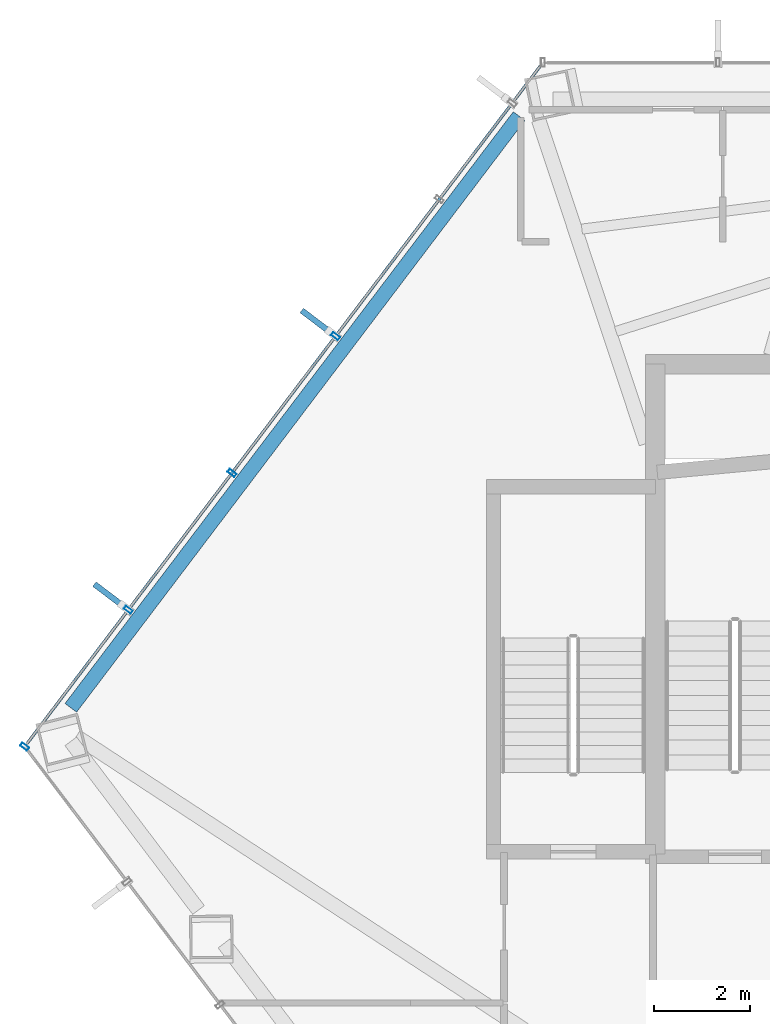
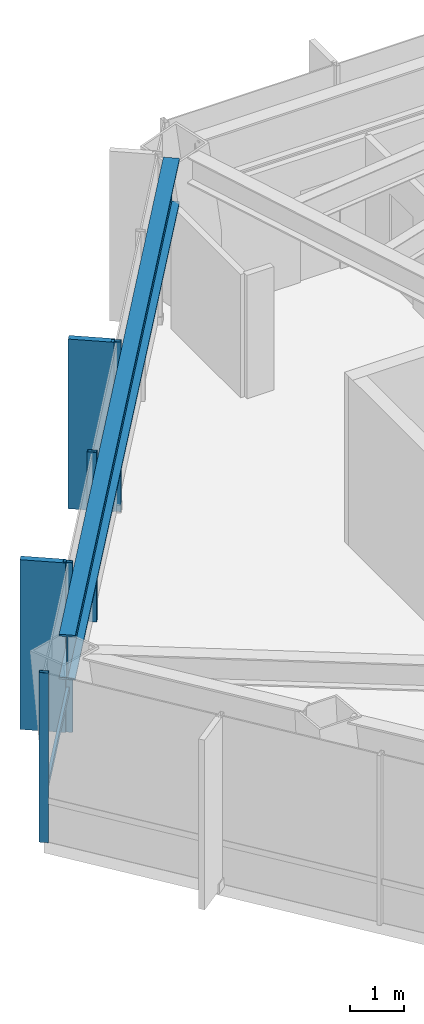
# One storey, part 12 of 27: 7 members, 1 beam, 1 element without a shape of its own.
"""IFC4 building model written with IfcOpenShell, lengths in metres."""

from ifc_helpers import new_model, si_unit, direction, frame, origin, origin_2d, place, context, subcontext, project, spatial, rectangle, hollow_rectangle, i_section, extrude, material, layer, layer_set, material_profile, profile_set, type_object, element, aggregate, save


model = new_model("IFC4")

# Units and contexts
model_context = context("Model", 3, precision=1e-05, world=origin(), true_north=direction((0.0, 1.0)))
body_context = subcontext(model_context, "Body", "Model", "MODEL_VIEW")
ifc_project = project(units=[si_unit("LENGTHUNIT", "METRE"), si_unit("AREAUNIT", "SQUARE_METRE"), si_unit("VOLUMEUNIT", "CUBIC_METRE"), si_unit("PLANEANGLEUNIT", "RADIAN"), si_unit("MASSUNIT", "GRAM", prefix="KILO")], contexts=[model_context])

# Site, building, storey
site_placement = place(None, origin())
site = spatial("IfcSite", under=ifc_project, at=site_placement, CompositionType="ELEMENT")
building_placement = place(site_placement, origin())
building = spatial("IfcBuilding", under=site, at=building_placement, Name="Zarrinselat Tower", CompositionType="ELEMENT")
storey_placement = place(building_placement, frame((0.0, 0.0, 80.580078125)))
storey = spatial("IfcBuildingStorey", under=building, at=storey_placement, Name="L19", CompositionType="ELEMENT", Elevation=80.580078125)

# Beam
ifc_material_1 = material(Name="Steel S460M", Category="steel")
ifc_material_profile_1 = material_profile(ifc_material_1, i_section(OverallWidth=0.302001953125, OverallDepth=1.008056640625, WebThickness=0.02099609375, FlangeThickness=0.0400390625, at=origin_2d()), Name="HEM 1000")
ifc_profile_set_1 = profile_set([ifc_material_profile_1], Name="Steel S460M")
beam_type = type_object("IfcBeamType", Name="BM-HEM1000", PredefinedType="BEAM", material=ifc_profile_set_1)
beam_placement = place(storey_placement, frame((16.427734375, 36.294921875, 3.31591796875), z_axis=(0.603848870457, 0.797098828031, 0.0), x_axis=(-0.797098828031, 0.603848870457, 0.0)))
element("IfcBeam", 1, at=beam_placement, inside=storey, type_object=beam_type, Name="L19 Perimeter Spandrel Girder SP05", PredefinedType="BEAM", context=body_context, shape_type="SweptSolid", body=[
    extrude(i_section(OverallWidth=0.302001953125, OverallDepth=1.008056640625, WebThickness=0.02099609375, FlangeThickness=0.0400390625, at=origin_2d()), origin(), (0.0, 0.0, 1.0), 15.45947265625),
])

# Curtain wall, members
ifc_material_2 = material(Name="Extruded Aluminium Alloy EN AW-6063 T6", Category="aluminium")
ifc_layer = layer(ifc_material_2, 0.18505859375)
ifc_layer_set = layer_set([ifc_layer], Name="Extruded Aluminium Alloy EN AW-6063 T6")
curtain_wall_type = type_object("IfcCurtainWallType", Name="CWS-OFF", PredefinedType="NOTDEFINED", material=ifc_layer_set)
curtain_wall_placement = place(storey_placement, origin())
curtain_wall = element("IfcCurtainWall", 2, at=curtain_wall_placement, inside=storey, type_object=curtain_wall_type, Name="L19 Unitised Curtain Wall CW-L19-E02", PredefinedType="NOTDEFINED")
ifc_material_3 = material(Name="Extruded Aluminium Alloy EN AW-6063 T6", Category="aluminium")
ifc_material_profile_2 = material_profile(ifc_material_3, hollow_rectangle(XDim=0.080078125, YDim=0.179931640625, WallThickness=0.0048828125, at=origin_2d()), Name="RHS 180x80x5")
ifc_profile_set_2 = profile_set([ifc_material_profile_2], Name="Extruded Aluminium Alloy EN AW-6063 T6")
member_type_1 = type_object("IfcMemberType", Name="MEM-CW-MUL", PredefinedType="MULLION", material=ifc_profile_set_2)
member_1_placement = place(storey_placement, frame((21.941162109375, 44.03466796875, 0.0), z_axis=(0.0, 0.0, 1.0), x_axis=(-0.60385671849, -0.797092882627, 0.0)))
member_1 = element("IfcMember", 3, at=member_1_placement, type_object=member_type_1, Name="CW-L19-E02 Mullion 3", PredefinedType="MULLION", context=body_context, shape_type="SweptSolid", body=[
    extrude(hollow_rectangle(XDim=0.080078125, YDim=0.179931640625, WallThickness=0.0048828125, at=origin_2d()), origin(), (0.0, 0.0, 1.0), 3.81982421875),
])
member_2_placement = place(storey_placement, frame((19.78271484375, 41.185546875, 0.0), z_axis=(0.0, 0.0, 1.0), x_axis=(-0.60385671849, -0.797092882627, 0.0)))
member_2 = element("IfcMember", 4, at=member_2_placement, type_object=member_type_1, Name="CW-L19-E02 Mullion 4", PredefinedType="MULLION", context=body_context, shape_type="SweptSolid", body=[
    extrude(hollow_rectangle(XDim=0.080078125, YDim=0.179931640625, WallThickness=0.0048828125, at=origin_2d()), origin(), (0.0, 0.0, 1.0), 3.81982421875),
])
member_3_placement = place(storey_placement, frame((17.6240234375, 38.336181640625, 0.0), z_axis=(0.0, 0.0, 1.0), x_axis=(-0.60385671849, -0.797092882627, 0.0)))
member_3 = element("IfcMember", 5, at=member_3_placement, type_object=member_type_1, Name="CW-L19-E02 Mullion 5", PredefinedType="MULLION", context=body_context, shape_type="SweptSolid", body=[
    extrude(hollow_rectangle(XDim=0.080078125, YDim=0.179931640625, WallThickness=0.0048828125, at=origin_2d()), origin(), (0.0, 0.0, 1.0), 3.81982421875),
])
member_4_placement = place(storey_placement, frame((15.465576171875, 35.48681640625, 0.0), z_axis=(0.0, 0.0, 1.0), x_axis=(-0.60385671849, -0.797092882627, 0.0)))
member_4 = element("IfcMember", 6, at=member_4_placement, type_object=member_type_1, Name="CW-L19-E02 Mullion 6", PredefinedType="MULLION", context=body_context, shape_type="SweptSolid", body=[
    extrude(hollow_rectangle(XDim=0.080078125, YDim=0.179931640625, WallThickness=0.0048828125, at=origin_2d()), origin(), (0.0, 0.0, 1.0), 3.81982421875),
])
ifc_material_4 = material(Name="Extruded Aluminium Alloy EN AW-6063 T6", Category="aluminium")
ifc_material_profile_3 = material_profile(ifc_material_4, hollow_rectangle(XDim=0.06005859375, YDim=0.139892578125, WallThickness=0.00390625, at=origin_2d()), Name="RHS 140x60x4")
ifc_profile_set_3 = profile_set([ifc_material_profile_3], Name="Extruded Aluminium Alloy EN AW-6063 T6")
member_type_2 = type_object("IfcMemberType", Name="MEM-CW-TRN", PredefinedType="USERDEFINED", material=ifc_profile_set_3)
member_5_placement = place(storey_placement, frame((26.203857421875, 49.66162109375, 0.949951171875), z_axis=(-0.603856625322, -0.797092953209, 0.0), x_axis=(0.797092953209, -0.603856625322, 0.0)))
member_5 = element("IfcMember", 7, at=member_5_placement, type_object=member_type_2, Name="CW-L19-E02 Transom 1", ObjectType="TRANSOM", PredefinedType="USERDEFINED", context=body_context, shape_type="SweptSolid", body=[
    extrude(hollow_rectangle(XDim=0.06005859375, YDim=0.139892578125, WallThickness=0.00390625, at=origin_2d()), origin(), (0.0, 0.0, 1.0), 17.693115234375),
])
ifc_material_5 = material(Name="Honed Cream Travertine Stone", Category="masonry")
ifc_material_profile_4 = material_profile(ifc_material_5, rectangle(XDim=0.1201171875, YDim=0.85009765625, at=origin_2d()), Name="FIN 850x120")
ifc_profile_set_4 = profile_set([ifc_material_profile_4], Name="Honed Cream Travertine Stone")
member_type_3 = type_object("IfcMemberType", Name="MEM-STONE-FIN", PredefinedType="USERDEFINED", material=ifc_profile_set_4)
member_6_placement = place(storey_placement, frame((21.574462890625, 44.3125, 0.0), z_axis=(0.0, 0.0, 1.0), x_axis=(0.60385671849, 0.797092882627, 0.0)))
member_6 = element("IfcMember", 8, at=member_6_placement, type_object=member_type_3, Name="L19 Stone Shading Fin CW-L19-E02-03", ObjectType="FIN", PredefinedType="USERDEFINED", context=body_context, shape_type="SweptSolid", body=[
    extrude(rectangle(XDim=0.1201171875, YDim=0.85009765625, at=origin_2d()), origin(), (0.0, 0.0, 1.0), 3.81982421875),
])
member_7_placement = place(storey_placement, frame((17.25732421875, 38.614013671875, 0.0), z_axis=(0.0, 0.0, 1.0), x_axis=(0.60385671849, 0.797092882627, 0.0)))
member_7 = element("IfcMember", 9, at=member_7_placement, type_object=member_type_3, Name="L19 Stone Shading Fin CW-L19-E02-05", ObjectType="FIN", PredefinedType="USERDEFINED", context=body_context, shape_type="SweptSolid", body=[
    extrude(rectangle(XDim=0.1201171875, YDim=0.85009765625, at=origin_2d()), origin(), (0.0, 0.0, 1.0), 3.81982421875),
])
aggregate(curtain_wall, [member_1, member_6, member_2, member_3, member_7, member_4, member_5])

save(model, "model.ifc")
